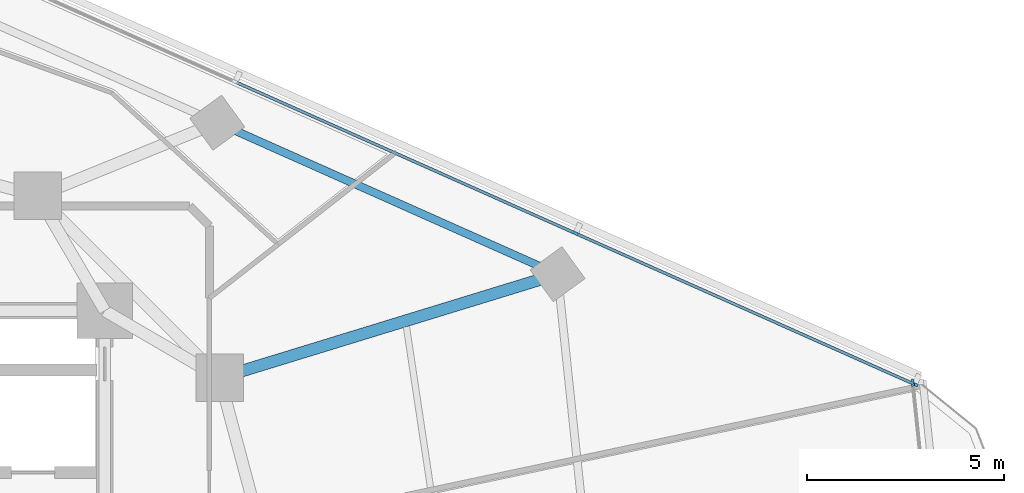
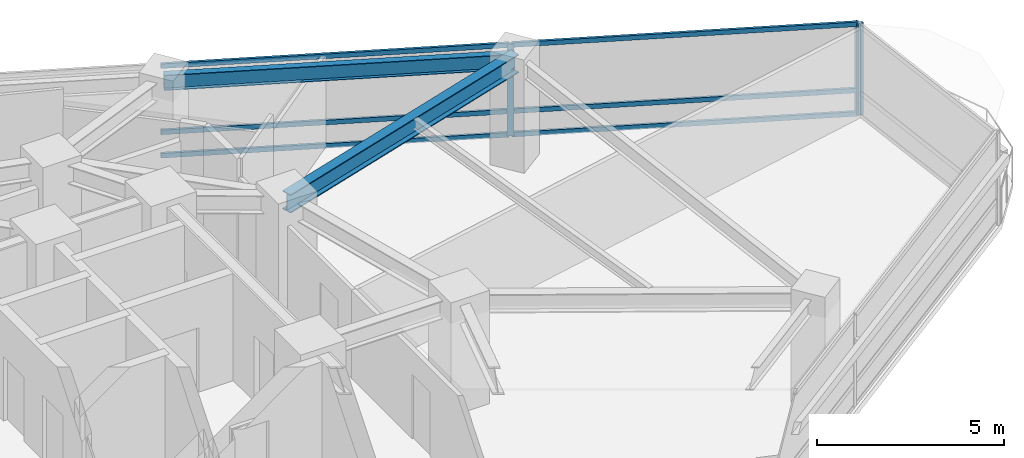
# One storey, part 6 of 14: 9 members, 2 beams, 2 elements without a shape of their own.
"""IFC4 building model written with IfcOpenShell, lengths in metres."""

from ifc_helpers import new_model, si_unit, direction, frame, origin, origin_2d, place, context, subcontext, project, spatial, rectangle, i_section, extrude, material, layer, layer_set, material_profile, profile_set, type_object, element, aggregate, save


model = new_model("IFC4")

# Units and contexts
model_context = context("Model", 3, precision=1e-05, world=origin(), true_north=direction((0.0, 1.0)))
body_context = subcontext(model_context, "Body", "Model", "MODEL_VIEW")
ifc_project = project(units=[si_unit("LENGTHUNIT", "METRE"), si_unit("AREAUNIT", "SQUARE_METRE"), si_unit("VOLUMEUNIT", "CUBIC_METRE"), si_unit("PLANEANGLEUNIT", "RADIAN"), si_unit("MASSUNIT", "GRAM", prefix="KILO")], contexts=[model_context])

# Site, building, storey
site_placement = place(None, origin())
site = spatial("IfcSite", under=ifc_project, at=site_placement, CompositionType="ELEMENT")
building_placement = place(site_placement, origin())
building = spatial("IfcBuilding", under=site, at=building_placement, Name="Terralouvre Media Tower", CompositionType="ELEMENT")
storey_placement = place(building_placement, frame((0.0, 0.0, 169.39990234375)))
storey = spatial("IfcBuildingStorey", under=building, at=storey_placement, Name="L43", CompositionType="ELEMENT", Elevation=169.39990234375)

# Curtain wall, members
ifc_material_1 = material(Name="Low-iron laminated double glazing with solar-control coating", Category="glass")
ifc_layer_1 = layer(ifc_material_1, 0.1650390625, Name="Production Studio Tower Curtain Wall CW-03")
ifc_layer_set_1 = layer_set([ifc_layer_1], Name="Low-iron laminated double glazing with solar-control coating")
curtain_wall_type_1 = type_object("IfcCurtainWallType", Name="Production Studio Tower Curtain Wall CW-03", PredefinedType="NOTDEFINED", material=ifc_layer_set_1)
curtain_wall_1_placement = place(storey_placement, origin())
curtain_wall_1 = element("IfcCurtainWall", 1, at=curtain_wall_1_placement, inside=storey, type_object=curtain_wall_type_1, Name="L43 Facade Curtain Wall F1", PredefinedType="NOTDEFINED")
ifc_material_2 = material(Name="Anodised extruded aluminium 6063-T6", Category="aluminium")
ifc_material_profile_1 = material_profile(ifc_material_2, rectangle(XDim=0.074951171875, YDim=0.14990234375, at=origin_2d()), Name="ALU 75x150")
ifc_profile_set_1 = profile_set([ifc_material_profile_1], Name="Anodised extruded aluminium 6063-T6")
member_type_1 = type_object("IfcMemberType", Name="Curtain-Wall Horizontal Transom TR-150", PredefinedType="USERDEFINED", material=ifc_profile_set_1)
member_1_placement = place(storey_placement, frame((28.4892578125, 6.1494140625, 0.03759765625), z_axis=(-0.913539345669, 0.406750370515, 0.0), x_axis=(-0.406750370515, -0.913539345669, 0.0)))
member_1 = element("IfcMember", 2, at=member_1_placement, type_object=member_type_1, Name="CW-03 transom 1.1", ObjectType="TRANSOM", PredefinedType="USERDEFINED", context=body_context, shape_type="SweptSolid", body=[
    extrude(rectangle(XDim=0.074951171875, YDim=0.14990234375, at=origin_2d()), origin(), (0.0, 0.0, 1.0), 9.327392578125),
])
member_2_placement = place(storey_placement, frame((28.4892578125, 6.1494140625, 0.800048828125), z_axis=(-0.913539345669, 0.406750370515, 0.0), x_axis=(-0.406750370515, -0.913539345669, 0.0)))
member_2 = element("IfcMember", 3, at=member_2_placement, type_object=member_type_1, Name="CW-03 transom 1.2", ObjectType="TRANSOM", PredefinedType="USERDEFINED", context=body_context, shape_type="SweptSolid", body=[
    extrude(rectangle(XDim=0.074951171875, YDim=0.14990234375, at=origin_2d()), origin(), (0.0, 0.0, 1.0), 9.327392578125),
])
member_3_placement = place(storey_placement, frame((28.4892578125, 6.1494140625, 2.962646484375), z_axis=(-0.913539345669, 0.406750370515, 0.0), x_axis=(-0.406750370515, -0.913539345669, 0.0)))
member_3 = element("IfcMember", 4, at=member_3_placement, type_object=member_type_1, Name="CW-03 transom 1.3", ObjectType="TRANSOM", PredefinedType="USERDEFINED", context=body_context, shape_type="SweptSolid", body=[
    extrude(rectangle(XDim=0.074951171875, YDim=0.14990234375, at=origin_2d()), origin(), (0.0, 0.0, 1.0), 9.327392578125),
])
member_4_placement = place(storey_placement, frame((19.899658203125, 9.973876953125, 0.03759765625), z_axis=(-0.913546899195, 0.40673340528, 0.0), x_axis=(-0.40673340528, -0.913546899195, 0.0)))
member_4 = element("IfcMember", 5, at=member_4_placement, type_object=member_type_1, Name="CW-03 transom 2.1", ObjectType="TRANSOM", PredefinedType="USERDEFINED", context=body_context, shape_type="SweptSolid", body=[
    extrude(rectangle(XDim=0.074951171875, YDim=0.14990234375, at=origin_2d()), origin(), (0.0, 0.0, 1.0), 9.364990234375),
])
member_5_placement = place(storey_placement, frame((19.899658203125, 9.973876953125, 0.800048828125), z_axis=(-0.913546899195, 0.40673340528, 0.0), x_axis=(-0.40673340528, -0.913546899195, 0.0)))
member_5 = element("IfcMember", 6, at=member_5_placement, type_object=member_type_1, Name="CW-03 transom 2.2", ObjectType="TRANSOM", PredefinedType="USERDEFINED", context=body_context, shape_type="SweptSolid", body=[
    extrude(rectangle(XDim=0.074951171875, YDim=0.14990234375, at=origin_2d()), origin(), (0.0, 0.0, 1.0), 9.364990234375),
])
member_6_placement = place(storey_placement, frame((19.899658203125, 9.973876953125, 2.962646484375), z_axis=(-0.913546899195, 0.40673340528, 0.0), x_axis=(-0.40673340528, -0.913546899195, 0.0)))
member_6 = element("IfcMember", 7, at=member_6_placement, type_object=member_type_1, Name="CW-03 transom 2.3", ObjectType="TRANSOM", PredefinedType="USERDEFINED", context=body_context, shape_type="SweptSolid", body=[
    extrude(rectangle(XDim=0.074951171875, YDim=0.14990234375, at=origin_2d()), origin(), (0.0, 0.0, 1.0), 9.364990234375),
])
ifc_material_3 = material(Name="Anodised extruded aluminium 6063-T6", Category="aluminium")
ifc_material_profile_2 = material_profile(ifc_material_3, rectangle(XDim=0.074951171875, YDim=0.179931640625, at=origin_2d()), Name="ALU 75x180")
ifc_profile_set_2 = profile_set([ifc_material_profile_2], Name="Anodised extruded aluminium 6063-T6")
member_type_2 = type_object("IfcMemberType", Name="Curtain-Wall Vertical Mullion ML-180", PredefinedType="MULLION", material=ifc_profile_set_2)
member_7_placement = place(storey_placement, frame((28.5234375, 6.13427734375, 0.0), z_axis=(0.0, 0.0, 1.0), x_axis=(-0.406736616337, -0.913545469547, 0.0)))
member_7 = element("IfcMember", 8, at=member_7_placement, type_object=member_type_2, Name="CW-03 mullion 1", PredefinedType="MULLION", context=body_context, shape_type="SweptSolid", body=[
    extrude(rectangle(XDim=0.074951171875, YDim=0.179931640625, at=origin_2d()), origin(), (0.0, 0.0, 1.0), 3.0),
])
member_8_placement = place(storey_placement, frame((19.933837890625, 9.95849609375, 0.0), z_axis=(0.0, 0.0, 1.0), x_axis=(-0.406736616337, -0.913545469547, 0.0)))
member_8 = element("IfcMember", 9, at=member_8_placement, type_object=member_type_2, Name="CW-03 mullion 2", PredefinedType="MULLION", context=body_context, shape_type="SweptSolid", body=[
    extrude(rectangle(XDim=0.074951171875, YDim=0.179931640625, at=origin_2d()), origin(), (0.0, 0.0, 1.0), 3.0),
])
aggregate(curtain_wall_1, [member_7, member_8, member_1, member_2, member_3, member_4, member_5, member_6])

# Curtain wall, member
ifc_material_4 = material(Name="Low-iron laminated double glazing with solar-control coating", Category="glass")
ifc_layer_2 = layer(ifc_material_4, 0.1650390625, Name="Rounded Wind-Corner Curved Glazing CW-04")
ifc_layer_set_2 = layer_set([ifc_layer_2], Name="Low-iron laminated double glazing with solar-control coating")
curtain_wall_type_2 = type_object("IfcCurtainWallType", Name="Rounded Wind-Corner Curved Glazing CW-04", PredefinedType="NOTDEFINED", material=ifc_layer_set_2)
curtain_wall_2_placement = place(storey_placement, origin())
curtain_wall_2 = element("IfcCurtainWall", 10, at=curtain_wall_2_placement, inside=storey, type_object=curtain_wall_type_2, Name="L43 Rounded Wind-Corner Curtain Wall C1", PredefinedType="NOTDEFINED")
member_9_placement = place(storey_placement, frame((28.47119140625, 6.1767578125, 0.0), z_axis=(0.0, 0.0, 1.0), x_axis=(-0.994521891172, -0.10452850319, 0.0)))
member_9 = element("IfcMember", 11, at=member_9_placement, type_object=member_type_2, Name="CW-04 mullion 2", PredefinedType="MULLION", context=body_context, shape_type="SweptSolid", body=[
    extrude(rectangle(XDim=0.074951171875, YDim=0.179931640625, at=origin_2d()), origin(), (0.0, 0.0, 1.0), 3.0),
])
aggregate(curtain_wall_2, [member_9])

# Beams
ifc_material_5 = material(Name="Structural steel S355J2", Category="steel")
ifc_material_profile_3 = material_profile(ifc_material_5, i_section(OverallWidth=0.199951171875, OverallDepth=0.5, WebThickness=0.01025390625, FlangeThickness=0.01611328125, at=origin_2d()), Name="IPE 500")
ifc_profile_set_3 = profile_set([ifc_material_profile_3], Name="Structural steel S355J2")
beam_type_1 = type_object("IfcBeamType", Name="Perimeter Spandrel Beam SPB-500 (IPE 500)", PredefinedType="SPANDREL", material=ifc_profile_set_3)
beam_1_placement = place(storey_placement, frame((19.474365234375, 8.92626953125, 3.25), z_axis=(-0.913547937667, 0.406731072803, 0.0), x_axis=(-0.406731072803, -0.913547937667, 0.0)))
element("IfcBeam", 12, at=beam_1_placement, inside=storey, type_object=beam_type_1, Name="L43 Framing Beam BM-L43-PR07", PredefinedType="SPANDREL", context=body_context, shape_type="SweptSolid", body=[
    extrude(i_section(OverallWidth=0.199951171875, OverallDepth=0.5, WebThickness=0.01025390625, FlangeThickness=0.01611328125, at=origin_2d()), origin(), (0.0, 0.0, 1.0), 9.440185546875),
])
ifc_material_6 = material(Name="Structural steel S460M", Category="steel")
ifc_material_profile_4 = material_profile(ifc_material_6, i_section(OverallWidth=0.300048828125, OverallDepth=0.60009765625, WebThickness=0.015380859375, FlangeThickness=0.030029296875, at=origin_2d()), Name="HEB 600")
ifc_profile_set_4 = profile_set([ifc_material_profile_4], Name="Structural steel S460M")
beam_type_2 = type_object("IfcBeamType", Name="Primary Floor Girder B-HEB600 (HEB 600)", PredefinedType="BEAM", material=ifc_profile_set_4)
beam_2_placement = place(storey_placement, frame((10.911865234375, 6.300048828125, 3.2001953125), z_axis=(0.956042083717, 0.293229490606, 0.0), x_axis=(-0.293229490606, 0.956042083717, 0.0)))
element("IfcBeam", 13, at=beam_2_placement, inside=storey, type_object=beam_type_2, Name="L43 Framing Beam BM-L43-RD07", PredefinedType="BEAM", context=body_context, shape_type="SweptSolid", body=[
    extrude(i_section(OverallWidth=0.300048828125, OverallDepth=0.60009765625, WebThickness=0.015380859375, FlangeThickness=0.030029296875, at=origin_2d()), origin(), (0.0, 0.0, 1.0), 8.956298828125),
])

save(model, "model.ifc")
